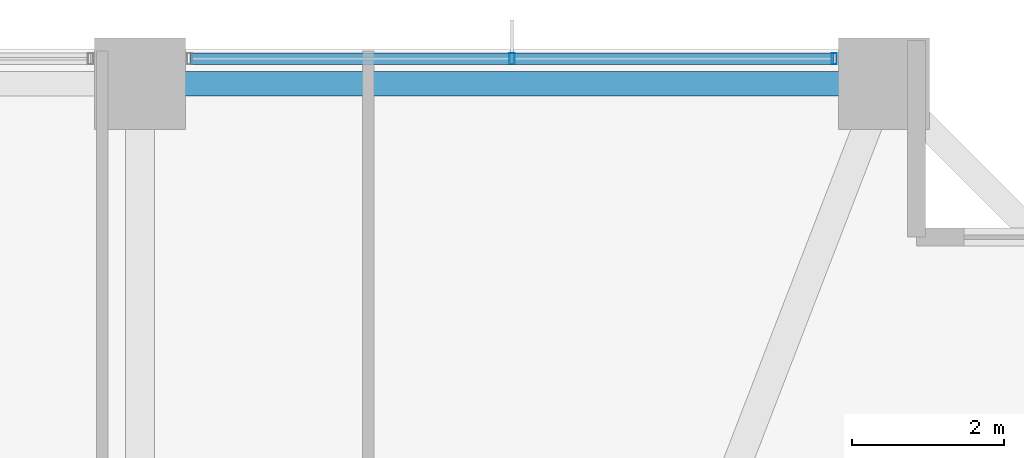
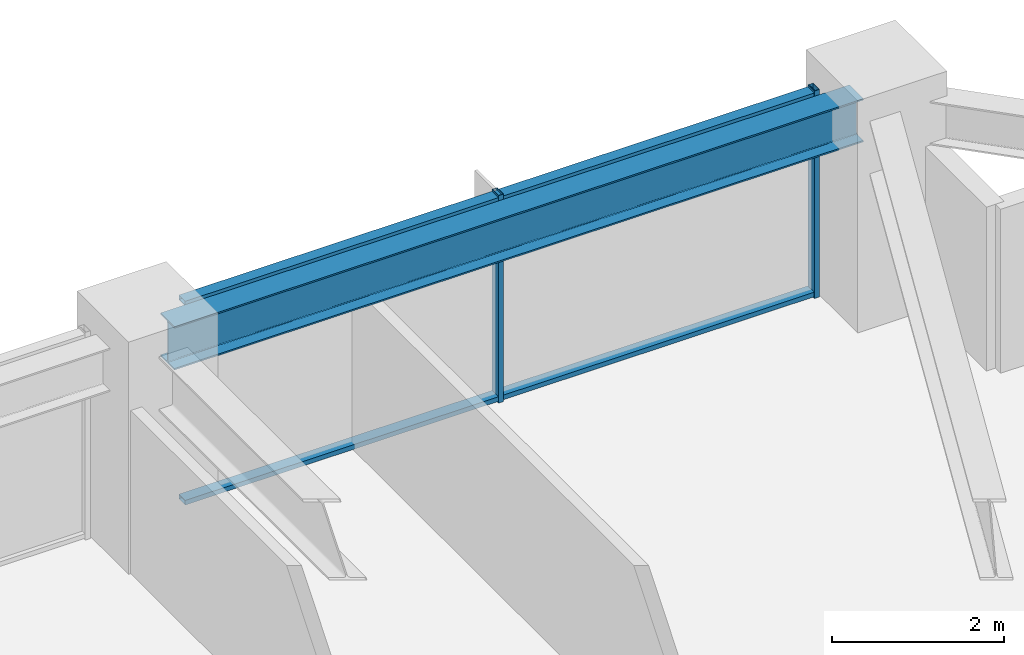
# One storey, part 26 of 38: 4 members, 1 beam, 1 element without a shape of its own.
"""IFC4 building model written with IfcOpenShell, lengths in metres."""

from ifc_helpers import new_model, si_unit, direction, frame, origin, origin_2d, place, context, subcontext, project, spatial, hollow_rectangle, i_section, extrude, material, material_profile, profile_set, type_object, element, aggregate, save


model = new_model("IFC4")

# Units and contexts
model_context = context("Model", 3, precision=1e-05, world=origin(), true_north=direction((0.0, 1.0)))
body_context = subcontext(model_context, "Body", "Model", "MODEL_VIEW")
ifc_project = project(units=[si_unit("LENGTHUNIT", "METRE"), si_unit("AREAUNIT", "SQUARE_METRE"), si_unit("VOLUMEUNIT", "CUBIC_METRE"), si_unit("PLANEANGLEUNIT", "RADIAN"), si_unit("MASSUNIT", "GRAM", prefix="KILO")], contexts=[model_context])

# Site, building, storey
site_placement = place(None, origin())
site = spatial("IfcSite", under=ifc_project, at=site_placement, CompositionType="ELEMENT")
building_placement = place(site_placement, origin())
building = spatial("IfcBuilding", under=site, at=building_placement, Name="Kolvaren Belvedere", CompositionType="ELEMENT")
storey_placement = place(building_placement, frame((0.0, 0.0, 60.10009765625)))
storey = spatial("IfcBuildingStorey", under=building, at=storey_placement, Name="L17", CompositionType="ELEMENT", Elevation=60.10009765625)

# Beam
ifc_material_1 = material(Name="Structural steel ASTM A992 Grade 50", Category="steel")
ifc_material_profile_1 = material_profile(ifc_material_1, i_section(OverallWidth=0.324951171875, OverallDepth=0.615966796875, WebThickness=0.013916015625, FlangeThickness=0.021484375, FilletRadius=0.02001953125, at=origin_2d()), Name="W24X117")
ifc_profile_set_1 = profile_set([ifc_material_profile_1], Name="Structural steel ASTM A992 Grade 50")
beam_type = type_object("IfcBeamType", Name="BM-SPAN-W24X117", PredefinedType="SPANDREL", material=ifc_profile_set_1)
beam_placement = place(storey_placement, frame((14.1298828125, 21.550048828125, 2.641845703125), z_axis=(-1.0, 0.0, 0.0), x_axis=(0.0, -1.0, 0.0)))
element("IfcBeam", 1, at=beam_placement, inside=storey, type_object=beam_type, Name="L17 Perimeter Spandrel N4-N3", PredefinedType="SPANDREL", context=body_context, shape_type="SweptSolid", body=[
    extrude(i_section(OverallWidth=0.324951171875, OverallDepth=0.615966796875, WebThickness=0.013916015625, FlangeThickness=0.021484375, FilletRadius=0.02001953125, at=origin_2d()), origin(), (0.0, 0.0, 1.0), 9.259765625),
])

# Curtain wall, members
ifc_material_2 = material(Name="Anodised pale-metal aluminium AA 6063-T6", Category="aluminium")
curtain_wall_type = type_object("IfcCurtainWallType", Name="CW-Z1-LOW", PredefinedType="NOTDEFINED", material=ifc_material_2)
curtain_wall_placement = place(storey_placement, origin())
curtain_wall = element("IfcCurtainWall", 2, at=curtain_wall_placement, inside=storey, type_object=curtain_wall_type, Name="L17 Unitised Curtain Wall FCW-L17-N-B3", PredefinedType="NOTDEFINED")
ifc_material_3 = material(Name="Anodised pale-metal aluminium AA 6063-T6", Category="aluminium")
ifc_material_profile_2 = material_profile(ifc_material_3, hollow_rectangle(XDim=0.070068359375, YDim=0.14990234375, WallThickness=0.004150390625, at=origin_2d()), Name="ALU-MUL-150X70")
ifc_profile_set_2 = profile_set([ifc_material_profile_2], Name="Anodised pale-metal aluminium AA 6063-T6")
member_type_1 = type_object("IfcMemberType", Name="CW-MUL-150", PredefinedType="MULLION", material=ifc_profile_set_2)
member_1_placement = place(storey_placement, frame((9.5, 21.8798828125, 0.0), z_axis=(0.0, 0.0, 1.0), x_axis=(1.0, 0.0, 0.0)))
member_1 = element("IfcMember", 3, at=member_1_placement, type_object=member_type_1, Name="FCW-L17-N-B3 Unitised Mullion 2", PredefinedType="MULLION", context=body_context, shape_type="SweptSolid", body=[
    extrude(hollow_rectangle(XDim=0.070068359375, YDim=0.14990234375, WallThickness=0.004150390625, at=origin_2d()), origin(), (0.0, 0.0, 1.0), 2.949951171875),
])
member_2_placement = place(storey_placement, frame((13.7451171875, 21.8798828125, 0.0), z_axis=(0.0, 0.0, 1.0), x_axis=(1.0, 0.0, 0.0)))
member_2 = element("IfcMember", 4, at=member_2_placement, type_object=member_type_1, Name="FCW-L17-N-B3 Unitised Mullion 3", PredefinedType="MULLION", context=body_context, shape_type="SweptSolid", body=[
    extrude(hollow_rectangle(XDim=0.070068359375, YDim=0.14990234375, WallThickness=0.004150390625, at=origin_2d()), origin(), (0.0, 0.0, 1.0), 2.949951171875),
])
ifc_material_4 = material(Name="Anodised pale-metal aluminium AA 6063-T6", Category="aluminium")
ifc_material_profile_3 = material_profile(ifc_material_4, hollow_rectangle(XDim=0.06494140625, YDim=0.14990234375, WallThickness=0.00390625, at=origin_2d()), Name="ALU-TRN-150X65")
ifc_profile_set_3 = profile_set([ifc_material_profile_3], Name="Anodised pale-metal aluminium AA 6063-T6")
member_type_2 = type_object("IfcMemberType", Name="CW-TRN-150", PredefinedType="USERDEFINED", material=ifc_profile_set_3)
member_3_placement = place(storey_placement, frame((5.2548828125, 21.8798828125, 0.059814453125), z_axis=(1.0, 0.0, 0.0), x_axis=(0.0, 0.0, 1.0)))
member_3 = element("IfcMember", 5, at=member_3_placement, type_object=member_type_2, Name="FCW-L17-N-B3 Sill Transom", ObjectType="TRANSOM", PredefinedType="USERDEFINED", context=body_context, shape_type="SweptSolid", body=[
    extrude(hollow_rectangle(XDim=0.06494140625, YDim=0.14990234375, WallThickness=0.00390625, at=origin_2d()), origin(), (0.0, 0.0, 1.0), 8.490234375),
])
member_4_placement = place(storey_placement, frame((5.2548828125, 21.8798828125, 2.889892578125), z_axis=(1.0, 0.0, 0.0), x_axis=(0.0, 0.0, 1.0)))
member_4 = element("IfcMember", 6, at=member_4_placement, type_object=member_type_2, Name="FCW-L17-N-B3 Head Transom", ObjectType="TRANSOM", PredefinedType="USERDEFINED", context=body_context, shape_type="SweptSolid", body=[
    extrude(hollow_rectangle(XDim=0.06494140625, YDim=0.14990234375, WallThickness=0.00390625, at=origin_2d()), origin(), (0.0, 0.0, 1.0), 8.490234375),
])
aggregate(curtain_wall, [member_1, member_2, member_3, member_4])

save(model, "model.ifc")
